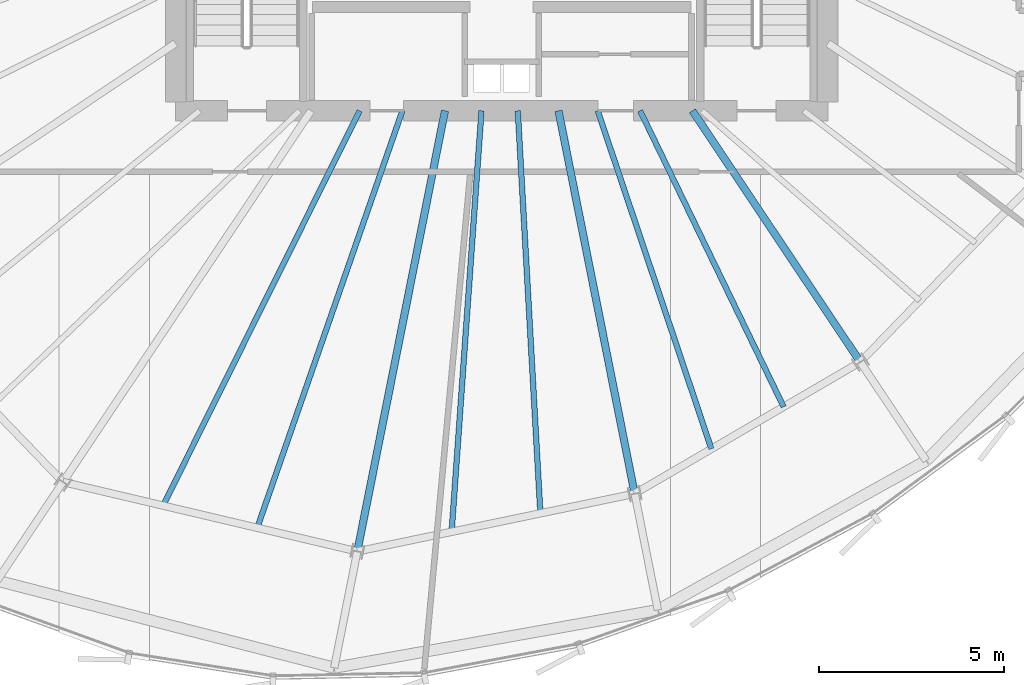
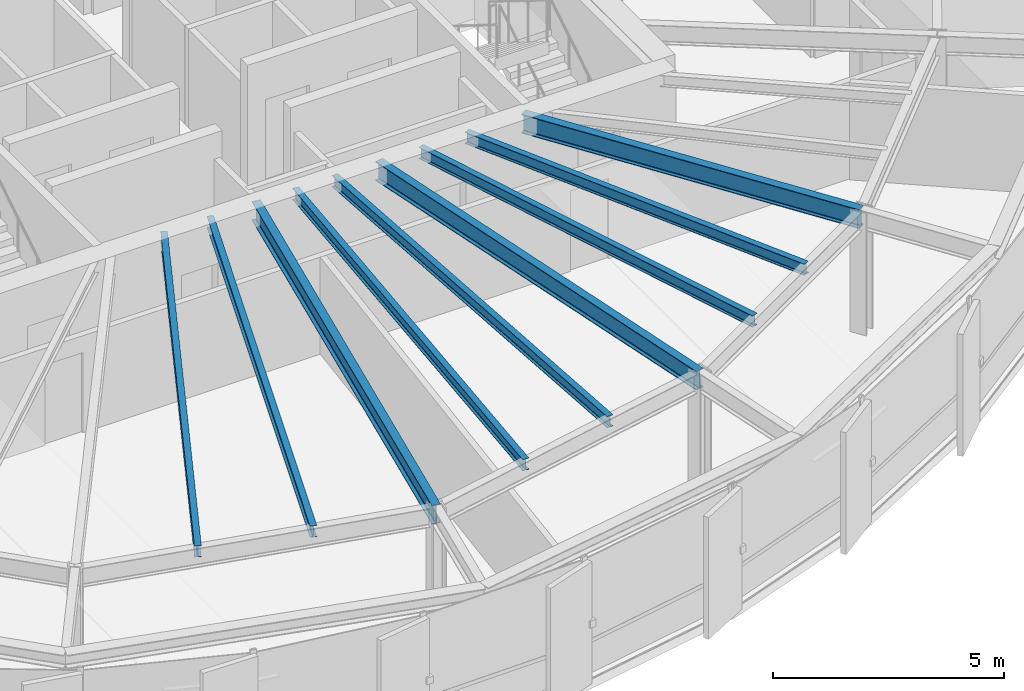
# One storey, part 9 of 36: 9 beams.
"""IFC4 building model written with IfcOpenShell, lengths in metres."""

from ifc_helpers import new_model, si_unit, direction, frame, origin, origin_2d, place, context, subcontext, project, spatial, i_section, extrude, source, transform, mapped, material, material_profile, profile_set, type_object, element, save


model = new_model("IFC4")

# Units and contexts
model_context = context("Model", 3, precision=1e-05, world=origin(), true_north=direction((0.0, 1.0)))
body_context = subcontext(model_context, "Body", "Model", "MODEL_VIEW")
ifc_project = project(units=[si_unit("LENGTHUNIT", "METRE"), si_unit("AREAUNIT", "SQUARE_METRE"), si_unit("VOLUMEUNIT", "CUBIC_METRE"), si_unit("PLANEANGLEUNIT", "RADIAN"), si_unit("MASSUNIT", "GRAM", prefix="KILO"), si_unit("THERMODYNAMICTEMPERATUREUNIT", "KELVIN")], contexts=[model_context])

# Site, building, storey
site_placement = place(None, origin())
site = spatial("IfcSite", under=ifc_project, at=site_placement, CompositionType="ELEMENT")
building_placement = place(site_placement, origin())
building = spatial("IfcBuilding", under=site, at=building_placement, Name="Kethvar Cultural Tower", CompositionType="ELEMENT")
storey_placement = place(building_placement, frame((0.0, 0.0, 197.39990234375)))
storey = spatial("IfcBuildingStorey", under=building, at=storey_placement, Name="L51", CompositionType="ELEMENT", Elevation=197.39990234375)

# Beams
ifc_material = material(Name="Steel S355J2", Category="steel")
ifc_material_profile_1 = material_profile(ifc_material, i_section(OverallWidth=0.199951171875, OverallDepth=0.5, WebThickness=0.01025390625, FlangeThickness=0.01611328125, FilletRadius=0.02099609375, at=origin_2d()), Name="Steel S355J2 — IPE500")
ifc_profile_set_1 = profile_set([ifc_material_profile_1], Name="Steel S355J2 — IPE500")
beam_type_1 = type_object("IfcBeamType", Name="BM-IPE500", PredefinedType="BEAM", material=ifc_profile_set_1)
shared_shape_1 = source(origin(), body_context, "Body", "SweptSolid", [
    extrude(i_section(OverallWidth=0.199951171875, OverallDepth=0.5, WebThickness=0.01025390625, FlangeThickness=0.01611328125, FilletRadius=0.02099609375, at=origin_2d()), origin(), (0.0, 0.0, 1.0), 12.1220703125),
])
beam_1_placement = place(storey_placement, frame((45.268310546875, 20.10009765625, 3.008056640625), z_axis=(-0.195078030057, -0.980787725346, 0.0), x_axis=(0.980787725346, -0.195078030057, 0.0)))
element("IfcBeam", 1, at=beam_1_placement, inside=storey, type_object=beam_type_1, Name="L51 Primary Radial Beam RB-12", PredefinedType="BEAM", context=body_context, shape_type="MappedRepresentation", body=[
    mapped(shared_shape_1, transform((0.0, 0.0, 0.0), scale=1.0)),
])
shared_shape_2 = source(origin(), body_context, "Body", "SweptSolid", [
    extrude(i_section(OverallWidth=0.199951171875, OverallDepth=0.5, WebThickness=0.01025390625, FlangeThickness=0.01611328125, FilletRadius=0.02099609375, at=origin_2d()), origin(), (0.0, 0.0, 1.0), 10.533935546875),
])
beam_2_placement = place(storey_placement, frame((48.33154296875, 20.10009765625, 3.008056640625), z_axis=(0.19509982917, -0.980783389265, 0.0), x_axis=(0.980783389265, 0.19509982917, 0.0)))
element("IfcBeam", 2, at=beam_2_placement, inside=storey, type_object=beam_type_1, Name="L51 Primary Radial Beam RB-13", PredefinedType="BEAM", context=body_context, shape_type="MappedRepresentation", body=[
    mapped(shared_shape_2, transform((0.0, 0.0, 0.0), scale=1.0)),
])
shared_shape_3 = source(origin(), body_context, "Body", "SweptSolid", [
    extrude(i_section(OverallWidth=0.199951171875, OverallDepth=0.5, WebThickness=0.01025390625, FlangeThickness=0.01611328125, FilletRadius=0.02099609375, at=origin_2d()), origin(), (0.0, 0.0, 1.0), 8.1533203125),
])
beam_3_placement = place(storey_placement, frame((51.945068359375, 20.10009765625, 3.008056640625), z_axis=(0.555549853936, -0.831483228809, 0.0), x_axis=(0.831483228809, 0.555549853936, 0.0)))
element("IfcBeam", 3, at=beam_3_placement, inside=storey, type_object=beam_type_1, Name="L51 Primary Radial Beam RB-14", PredefinedType="BEAM", context=body_context, shape_type="MappedRepresentation", body=[
    mapped(shared_shape_3, transform((0.0, 0.0, 0.0), scale=1.0)),
])
ifc_material_profile_2 = material_profile(ifc_material, i_section(OverallWidth=0.14990234375, OverallDepth=0.300048828125, WebThickness=0.007080078125, FlangeThickness=0.0107421875, FilletRadius=0.014892578125, at=origin_2d()), Name="Steel S355J2 — IPE300")
ifc_profile_set_2 = profile_set([ifc_material_profile_2], Name="Steel S355J2 — IPE300")
beam_type_2 = type_object("IfcBeamType", Name="BM-J300", PredefinedType="JOIST", material=ifc_profile_set_2)
shared_shape_4 = source(origin(), body_context, "Body", "SweptSolid", [
    extrude(i_section(OverallWidth=0.14990234375, OverallDepth=0.300048828125, WebThickness=0.007080078125, FlangeThickness=0.0107421875, FilletRadius=0.014892578125, at=origin_2d()), origin(), (0.0, 0.0, 1.0), 11.900146484375),
])
beam_4_placement = place(storey_placement, frame((42.96630859375, 20.10009765625, 3.108154296875), z_axis=(-0.445686564233, -0.89518907861, 0.0), x_axis=(0.89518907861, -0.445686564233, 0.0)))
element("IfcBeam", 4, at=beam_4_placement, inside=storey, type_object=beam_type_2, Name="L51 Composite Floor Joist J-11A", PredefinedType="JOIST", context=body_context, shape_type="MappedRepresentation", body=[
    mapped(shared_shape_4, transform((0.0, 0.0, 0.0), scale=1.0)),
])
shared_shape_5 = source(origin(), body_context, "Body", "SweptSolid", [
    extrude(i_section(OverallWidth=0.14990234375, OverallDepth=0.300048828125, WebThickness=0.007080078125, FlangeThickness=0.0107421875, FilletRadius=0.014892578125, at=origin_2d()), origin(), (0.0, 0.0, 1.0), 11.914306640625),
])
beam_5_placement = place(storey_placement, frame((44.1201171875, 20.10009765625, 3.108154296875), z_axis=(-0.328722490218, -0.944426558513, 0.0), x_axis=(0.944426558513, -0.328722490218, 0.0)))
element("IfcBeam", 5, at=beam_5_placement, inside=storey, type_object=beam_type_2, Name="L51 Composite Floor Joist J-11B", PredefinedType="JOIST", context=body_context, shape_type="MappedRepresentation", body=[
    mapped(shared_shape_5, transform((0.0, 0.0, 0.0), scale=1.0)),
])
shared_shape_6 = source(origin(), body_context, "Body", "SweptSolid", [
    extrude(i_section(OverallWidth=0.14990234375, OverallDepth=0.300048828125, WebThickness=0.007080078125, FlangeThickness=0.0107421875, FilletRadius=0.014892578125, at=origin_2d()), origin(), (0.0, 0.0, 1.0), 11.38818359375),
])
beam_6_placement = place(storey_placement, frame((46.253662109375, 20.10009765625, 3.108154296875), z_axis=(-0.070767133242, -0.99749286356, 0.0), x_axis=(0.99749286356, -0.070767133242, 0.0)))
element("IfcBeam", 6, at=beam_6_placement, inside=storey, type_object=beam_type_2, Name="L51 Composite Floor Joist J-12A", PredefinedType="JOIST", context=body_context, shape_type="MappedRepresentation", body=[
    mapped(shared_shape_6, transform((0.0, 0.0, 0.0), scale=1.0)),
])
shared_shape_7 = source(origin(), body_context, "Body", "SweptSolid", [
    extrude(i_section(OverallWidth=0.14990234375, OverallDepth=0.300048828125, WebThickness=0.007080078125, FlangeThickness=0.0107421875, FilletRadius=0.014892578125, at=origin_2d()), origin(), (0.0, 0.0, 1.0), 10.878173828125),
])
beam_7_placement = place(storey_placement, frame((47.232421875, 20.10009765625, 3.108154296875), z_axis=(0.056062922639, -0.998427237562, 0.0), x_axis=(0.998427237562, 0.056062922639, 0.0)))
element("IfcBeam", 7, at=beam_7_placement, inside=storey, type_object=beam_type_2, Name="L51 Composite Floor Joist J-12B", PredefinedType="JOIST", context=body_context, shape_type="MappedRepresentation", body=[
    mapped(shared_shape_7, transform((0.0, 0.0, 0.0), scale=1.0)),
])
shared_shape_8 = source(origin(), body_context, "Body", "SweptSolid", [
    extrude(i_section(OverallWidth=0.14990234375, OverallDepth=0.300048828125, WebThickness=0.007080078125, FlangeThickness=0.0107421875, FilletRadius=0.014892578125, at=origin_2d()), origin(), (0.0, 0.0, 1.0), 9.625732421875),
])
beam_8_placement = place(storey_placement, frame((49.388916015625, 20.10009765625, 3.108154296875), z_axis=(0.31869202774, -0.947858318239, 0.0), x_axis=(0.947858318239, 0.31869202774, 0.0)))
element("IfcBeam", 8, at=beam_8_placement, inside=storey, type_object=beam_type_2, Name="L51 Composite Floor Joist J-13A", PredefinedType="JOIST", context=body_context, shape_type="MappedRepresentation", body=[
    mapped(shared_shape_8, transform((0.0, 0.0, 0.0), scale=1.0)),
])
shared_shape_9 = source(origin(), body_context, "Body", "SweptSolid", [
    extrude(i_section(OverallWidth=0.14990234375, OverallDepth=0.300048828125, WebThickness=0.007080078125, FlangeThickness=0.0107421875, FilletRadius=0.014892578125, at=origin_2d()), origin(), (0.0, 0.0, 1.0), 8.8759765625),
])
beam_9_placement = place(storey_placement, frame((50.532958984375, 20.10009765625, 3.108154296875), z_axis=(0.436210743691, -0.899844534955, 0.0), x_axis=(0.899844534955, 0.436210743691, 0.0)))
element("IfcBeam", 9, at=beam_9_placement, inside=storey, type_object=beam_type_2, Name="L51 Composite Floor Joist J-13B", PredefinedType="JOIST", context=body_context, shape_type="MappedRepresentation", body=[
    mapped(shared_shape_9, transform((0.0, 0.0, 0.0), scale=1.0)),
])

save(model, "model.ifc")
